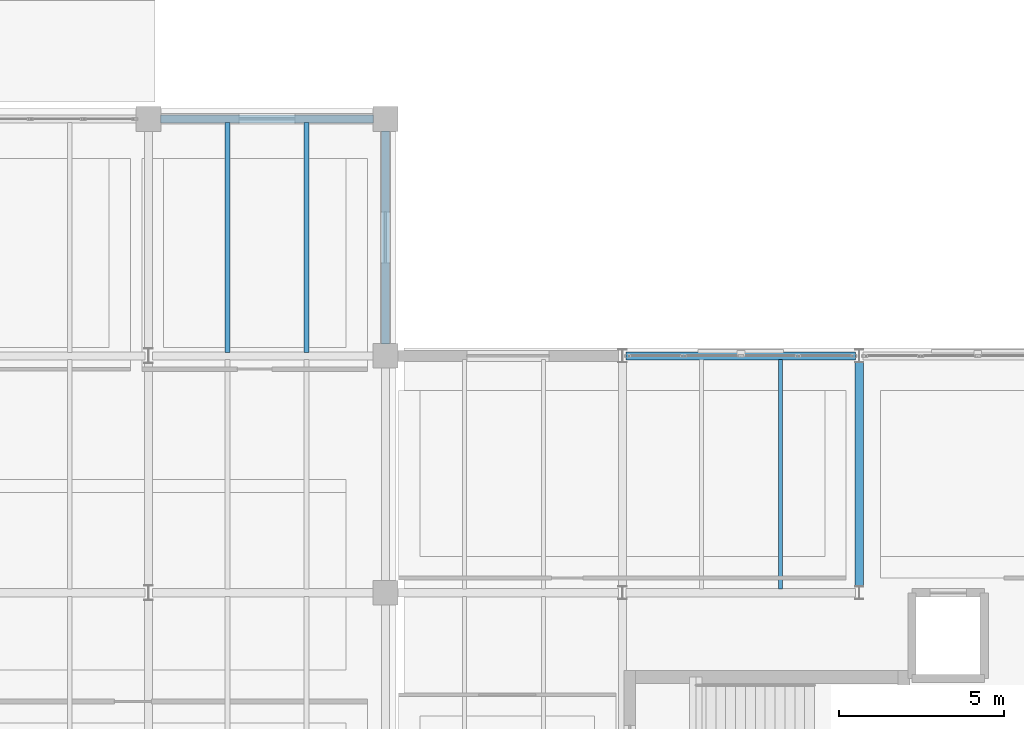
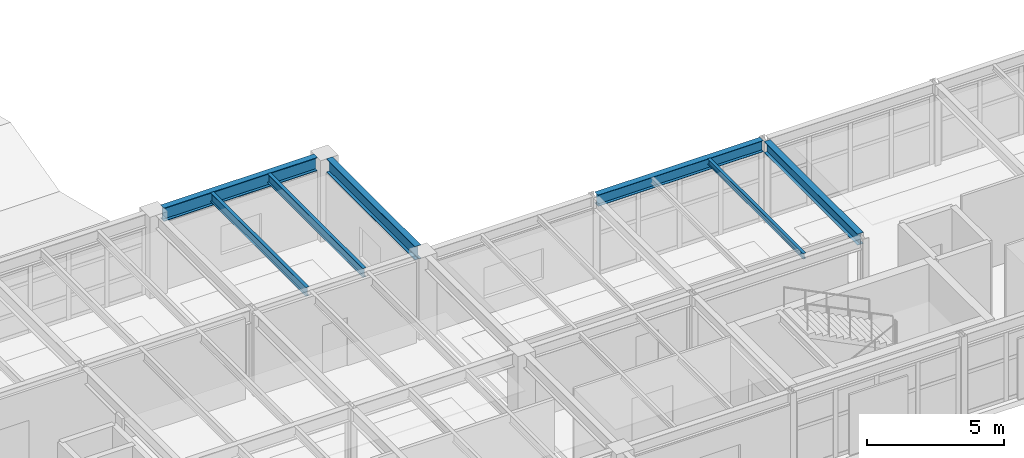
# One storey, part 18 of 48: 7 beams.
"""IFC4 building model written with IfcOpenShell, lengths in metres."""

from ifc_helpers import new_model, si_unit, direction, frame, origin, origin_2d, place, context, subcontext, project, spatial, i_section, extrude, material, material_profile, profile_set, type_object, element, save


model = new_model("IFC4")

# Units and contexts
model_context = context("Model", 3, precision=1e-05, world=origin(), true_north=direction((0.0, 1.0)))
body_context = subcontext(model_context, "Body", "Model", "MODEL_VIEW")
ifc_project = project(units=[si_unit("LENGTHUNIT", "METRE"), si_unit("AREAUNIT", "SQUARE_METRE"), si_unit("VOLUMEUNIT", "CUBIC_METRE"), si_unit("PLANEANGLEUNIT", "RADIAN"), si_unit("MASSUNIT", "GRAM", prefix="KILO")], contexts=[model_context])

# Site, building, storey
site_placement = place(None, origin())
site = spatial("IfcSite", under=ifc_project, at=site_placement, CompositionType="ELEMENT")
building_placement = place(site_placement, origin())
building = spatial("IfcBuilding", under=site, at=building_placement, Name="Kandorven Conservatory and Botanical Research Centre", CompositionType="ELEMENT")
storey_placement = place(building_placement, frame((0.0, 0.0, 13.199951171875)))
storey = spatial("IfcBuildingStorey", under=building, at=storey_placement, Name="L03", CompositionType="ELEMENT", Elevation=13.199951171875)

# Beams
ifc_material_1 = material(Name="Steel S355 (IS 2062 E350)", Category="steel")
ifc_material_profile_1 = material_profile(ifc_material_1, i_section(OverallWidth=0.25, OverallDepth=0.60009765625, WebThickness=0.01171875, FlangeThickness=0.023681640625, at=origin_2d()))
ifc_profile_set_1 = profile_set([ifc_material_profile_1], Name="Steel S355 (IS 2062 E350)")
beam_type_1 = type_object("IfcBeamType", Name="Beam_FG-01", PredefinedType="USERDEFINED", material=ifc_profile_set_1)
for number, where, z_axis, x_axis, name in (
    (1, (35.1650390625, 34.800048828125, 3.3349609375), (1.0, 0.0, 0.0), (0.0, 1.0, 0.0), "Primary girder FG-01 TWR L03"),
    (2, (42.0, 27.965087890625, 3.3349609375), (0.0, 1.0, 0.0), (-1.0, 0.0, 0.0), "Primary girder FG-01 TWR L03"),
):
    element("IfcBeam", number, at=place(storey_placement, frame(where, z_axis=z_axis, x_axis=x_axis)), inside=storey, type_object=beam_type_1, Name=name, ObjectType="GIRDER", PredefinedType="USERDEFINED", context=body_context, shape_type="SweptSolid", body=[
        extrude(i_section(OverallWidth=0.25, OverallDepth=0.60009765625, WebThickness=0.01171875, FlangeThickness=0.023681640625, at=origin_2d()), origin(), (0.0, 0.0, 1.0), 6.469970703125),
    ])
ifc_material_2 = material(Name="Steel S355 (IS 2062 E350)", Category="steel")
ifc_material_profile_2 = material_profile(ifc_material_2, i_section(OverallWidth=0.25, OverallDepth=0.5, WebThickness=0.010009765625, FlangeThickness=0.0146484375, at=origin_2d()))
ifc_profile_set_2 = profile_set([ifc_material_profile_2], Name="Steel S355 (IS 2062 E350)")
beam_type_2 = type_object("IfcBeamType", Name="Beam_FG-02", PredefinedType="USERDEFINED", material=ifc_profile_set_2)
beam_1_placement = place(storey_placement, frame((49.31494140625, 27.60009765625, 3.375), z_axis=(1.0, 0.0, 0.0), x_axis=(0.0, 1.0, 0.0)))
element("IfcBeam", 3, at=beam_1_placement, inside=storey, type_object=beam_type_2, Name="Primary girder FG-02 VIS L03", ObjectType="GIRDER", PredefinedType="USERDEFINED", context=body_context, shape_type="SweptSolid", body=[
    extrude(i_section(OverallWidth=0.25, OverallDepth=0.5, WebThickness=0.010009765625, FlangeThickness=0.0146484375, at=origin_2d()), origin(), (0.0, 0.0, 1.0), 6.969970703125),
])
beam_2_placement = place(storey_placement, frame((56.39990234375, 20.590087890625, 3.375), z_axis=(0.0, 1.0, 0.0), x_axis=(-1.0, 0.0, 0.0)))
element("IfcBeam", 4, at=beam_2_placement, inside=storey, type_object=beam_type_2, Name="Primary girder FG-02 VIS L03", ObjectType="GIRDER", PredefinedType="USERDEFINED", context=body_context, shape_type="SweptSolid", body=[
    extrude(i_section(OverallWidth=0.25, OverallDepth=0.5, WebThickness=0.010009765625, FlangeThickness=0.0146484375, at=origin_2d()), origin(), (0.0, 0.0, 1.0), 6.81982421875),
])
ifc_material_3 = material(Name="Steel S355 (IS 2062 E350)", Category="steel")
ifc_material_profile_3 = material_profile(ifc_material_3, i_section(OverallWidth=0.125, OverallDepth=0.25, WebThickness=0.0068359375, FlangeThickness=0.012451171875, at=origin_2d()))
ifc_profile_set_3 = profile_set([ifc_material_profile_3], Name="Steel S355 (IS 2062 E350)")
beam_type_3 = type_object("IfcBeamType", Name="Beam_RJ-01", PredefinedType="JOIST", material=ifc_profile_set_3)
beam_3_placement = place(storey_placement, frame((54.0, 20.510009765625, 3.5), z_axis=(0.0, 1.0, 0.0), x_axis=(-1.0, 0.0, 0.0)))
element("IfcBeam", 5, at=beam_3_placement, inside=storey, type_object=beam_type_3, Name="Composite secondary beam RJ-01 VIS L03", PredefinedType="JOIST", context=body_context, shape_type="SweptSolid", body=[
    extrude(i_section(OverallWidth=0.125, OverallDepth=0.25, WebThickness=0.0068359375, FlangeThickness=0.012451171875, at=origin_2d()), origin(), (0.0, 0.0, 1.0), 6.97998046875),
])
ifc_material_4 = material(Name="Steel S355 (IS 2062 E350)", Category="steel")
ifc_material_profile_4 = material_profile(ifc_material_4, i_section(OverallWidth=0.139892578125, OverallDepth=0.39990234375, WebThickness=0.0087890625, FlangeThickness=0.01611328125, at=origin_2d()))
ifc_profile_set_4 = profile_set([ifc_material_profile_4], Name="Steel S355 (IS 2062 E350)")
beam_type_4 = type_object("IfcBeamType", Name="Beam_SB-05", PredefinedType="BEAM", material=ifc_profile_set_4)
for number, where, z_axis, x_axis, name in (
    (6, (37.199951171875, 27.7099609375, 3.43505859375), (0.0, 1.0, 0.0), (-1.0, 0.0, 0.0), "Composite secondary beam SB-05 TWR L03"),
    (7, (39.60009765625, 27.7099609375, 3.43505859375), (0.0, 1.0, 0.0), (-1.0, 0.0, 0.0), "Composite secondary beam SB-05 TWR L03"),
):
    element("IfcBeam", number, at=place(storey_placement, frame(where, z_axis=z_axis, x_axis=x_axis)), inside=storey, type_object=beam_type_4, Name=name, PredefinedType="BEAM", context=body_context, shape_type="SweptSolid", body=[
        extrude(i_section(OverallWidth=0.139892578125, OverallDepth=0.39990234375, WebThickness=0.0087890625, FlangeThickness=0.01611328125, at=origin_2d()), origin(), (0.0, 0.0, 1.0), 6.97998046875),
    ])

save(model, "model.ifc")
